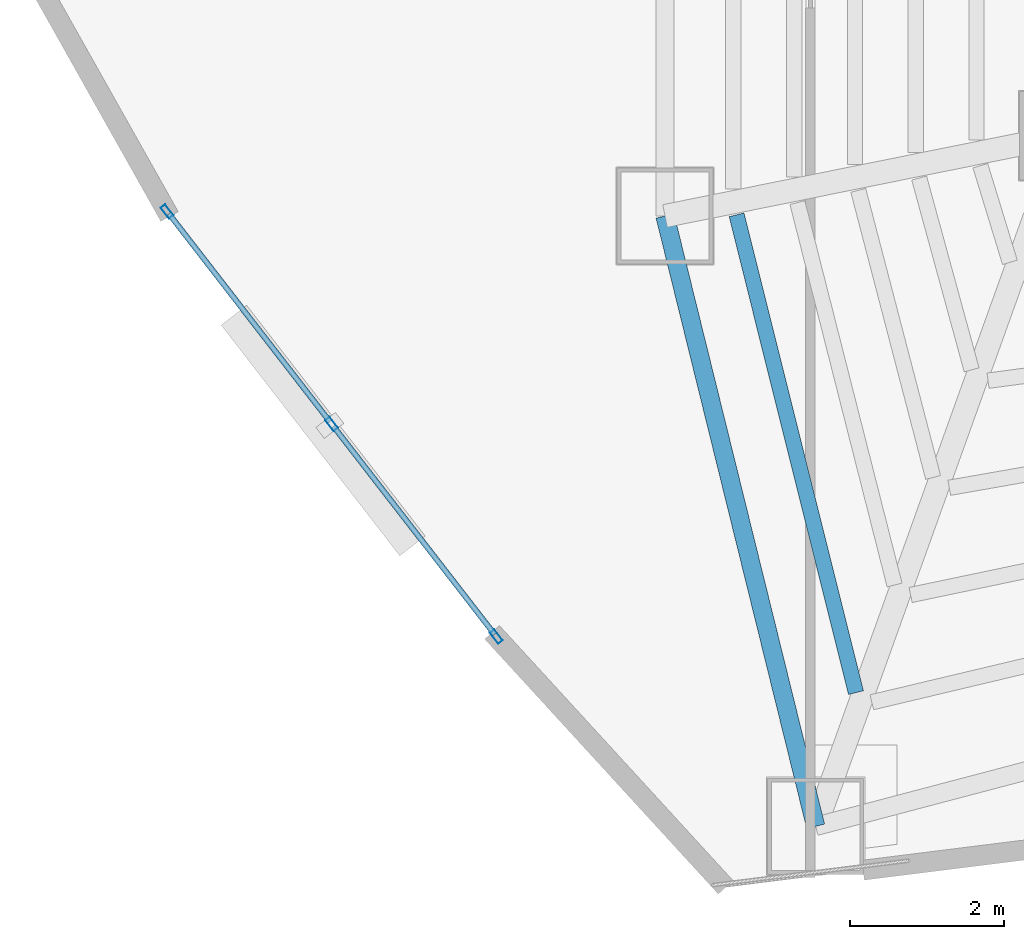
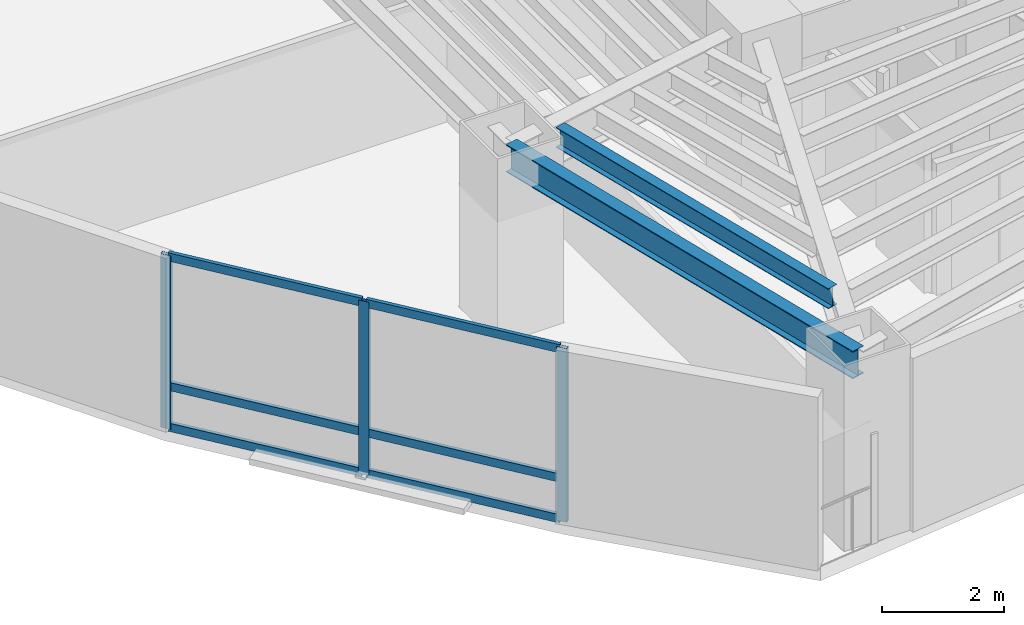
# One storey, part 3 of 23: 9 members, 2 beams, 1 element without a shape of its own.
"""IFC4 building model written with IfcOpenShell, lengths in metres."""

from ifc_helpers import new_model, si_unit, direction, frame, origin, origin_2d, place, context, subcontext, project, spatial, hollow_rectangle, i_section, extrude, material, layer, layer_set, material_profile, profile_set, type_object, element, aggregate, save


model = new_model("IFC4")

# Units and contexts
model_context = context("Model", 3, precision=1e-05, world=origin(), true_north=direction((0.0, 1.0)))
body_context = subcontext(model_context, "Body", "Model", "MODEL_VIEW")
ifc_project = project(units=[si_unit("LENGTHUNIT", "METRE"), si_unit("AREAUNIT", "SQUARE_METRE"), si_unit("VOLUMEUNIT", "CUBIC_METRE"), si_unit("PLANEANGLEUNIT", "RADIAN"), si_unit("MASSUNIT", "GRAM", prefix="KILO")], contexts=[model_context])

# Site, building, storey
site_placement = place(None, origin())
site = spatial("IfcSite", under=ifc_project, at=site_placement, CompositionType="ELEMENT")
building_placement = place(site_placement, origin())
building = spatial("IfcBuilding", under=site, at=building_placement, Name="Menara Vayukalpa", CompositionType="ELEMENT")
storey_placement = place(building_placement, frame((0.0, 0.0, 103.97998046875)))
storey = spatial("IfcBuildingStorey", under=building, at=storey_placement, Name="L25", CompositionType="ELEMENT", Elevation=103.97998046875)

# Beams
ifc_material_1 = material(Name="Steel S355", Category="steel")
ifc_material_profile_1 = material_profile(ifc_material_1, i_section(OverallWidth=0.199951171875, OverallDepth=0.39990234375, WebThickness=0.008056640625, FlangeThickness=0.012939453125, at=origin_2d()), Name="WF 400x200x8x13")
ifc_profile_set_1 = profile_set([ifc_material_profile_1], Name="Steel S355")
beam_type_1 = type_object("IfcBeamType", Name="BM-SJ2", PredefinedType="JOIST", material=ifc_profile_set_1)
beam_1_placement = place(storey_placement, frame((13.53857421875, 16.168701171875, 3.27001953125), z_axis=(0.242481900969, -0.970155929582, 0.0), x_axis=(0.970155929582, 0.242481900969, 0.0)))
element("IfcBeam", 1, at=beam_1_placement, inside=storey, type_object=beam_type_1, Name="L25 Secondary Floor Joist SJ06-5", PredefinedType="JOIST", context=body_context, shape_type="SweptSolid", body=[
    extrude(i_section(OverallWidth=0.199951171875, OverallDepth=0.39990234375, WebThickness=0.008056640625, FlangeThickness=0.012939453125, at=origin_2d()), origin(), (0.0, 0.0, 1.0), 6.41552734375),
])
ifc_material_2 = material(Name="Steel S355", Category="steel")
ifc_material_profile_2 = material_profile(ifc_material_2, i_section(OverallWidth=0.239990234375, OverallDepth=0.550048828125, WebThickness=0.010986328125, FlangeThickness=0.01904296875, at=origin_2d()), Name="WF 550x240x11x19")
ifc_profile_set_2 = profile_set([ifc_material_profile_2], Name="Steel S355")
beam_type_2 = type_object("IfcBeamType", Name="BM-SP2", PredefinedType="SPANDREL", material=ifc_profile_set_2)
beam_2_placement = place(storey_placement, frame((12.606689453125, 16.154296875, 3.195068359375), z_axis=(0.239602739234, -0.970871014786, 0.0), x_axis=(0.970871014786, 0.239602739234, 0.0)))
element("IfcBeam", 2, at=beam_2_placement, inside=storey, type_object=beam_type_2, Name="L25 Perimeter Spandrel Beam SP06", PredefinedType="SPANDREL", context=body_context, shape_type="SweptSolid", body=[
    extrude(i_section(OverallWidth=0.239990234375, OverallDepth=0.550048828125, WebThickness=0.010986328125, FlangeThickness=0.01904296875, at=origin_2d()), origin(), (0.0, 0.0, 1.0), 8.190185546875),
])

# Curtain wall, members
ifc_material_3 = material(Name="Anodised Terracotta Aluminium Alloy 6063-T6", Category="masonry")
ifc_layer = layer(ifc_material_3, 0.179931640625)
ifc_layer_set = layer_set([ifc_layer], Name="Anodised Terracotta Aluminium Alloy 6063-T6")
curtain_wall_type = type_object("IfcCurtainWallType", Name="CW-CW4", PredefinedType="USERDEFINED", material=ifc_layer_set)
curtain_wall_placement = place(storey_placement, origin())
curtain_wall = element("IfcCurtainWall", 3, at=curtain_wall_placement, inside=storey, type_object=curtain_wall_type, Name="L25 Sky Bar Cantilever Glazed Curtain Wall CW4 13", ObjectType="UNITISED", PredefinedType="USERDEFINED")
ifc_material_4 = material(Name="Anodised Terracotta Aluminium Alloy 6063-T6", Category="masonry")
ifc_material_profile_3 = material_profile(ifc_material_4, hollow_rectangle(XDim=0.074951171875, YDim=0.179931640625, WallThickness=0.00390625, at=origin_2d()), Name="ALU 75x180x4")
ifc_profile_set_3 = profile_set([ifc_material_profile_3], Name="Anodised Terracotta Aluminium Alloy 6063-T6")
member_type_1 = type_object("IfcMemberType", Name="CWM-CW4", PredefinedType="MULLION", material=ifc_profile_set_3)
member_1_placement = place(storey_placement, frame((6.11962890625, 16.21337890625, 0.0), z_axis=(0.0, 0.0, 1.0), x_axis=(0.790711577857, 0.612188860273, 0.0)))
member_1 = element("IfcMember", 4, at=member_1_placement, type_object=member_type_1, Name="CW4 mullion 1", PredefinedType="MULLION", context=body_context, shape_type="SweptSolid", body=[
    extrude(hollow_rectangle(XDim=0.074951171875, YDim=0.179931640625, WallThickness=0.00390625, at=origin_2d()), origin(), (0.0, 0.0, 1.0), 3.469970703125),
])
member_2_placement = place(storey_placement, frame((8.263916015625, 13.44384765625, 0.0), z_axis=(0.0, 0.0, 1.0), x_axis=(0.790711577857, 0.612188860273, 0.0)))
member_2 = element("IfcMember", 5, at=member_2_placement, type_object=member_type_1, Name="CW4 mullion 2", PredefinedType="MULLION", context=body_context, shape_type="SweptSolid", body=[
    extrude(hollow_rectangle(XDim=0.074951171875, YDim=0.179931640625, WallThickness=0.00390625, at=origin_2d()), origin(), (0.0, 0.0, 1.0), 3.469970703125),
])
member_3_placement = place(storey_placement, frame((10.408203125, 10.67431640625, 0.0), z_axis=(0.0, 0.0, 1.0), x_axis=(0.790711577857, 0.612188860273, 0.0)))
member_3 = element("IfcMember", 6, at=member_3_placement, type_object=member_type_1, Name="CW4 mullion 3", PredefinedType="MULLION", context=body_context, shape_type="SweptSolid", body=[
    extrude(hollow_rectangle(XDim=0.074951171875, YDim=0.179931640625, WallThickness=0.00390625, at=origin_2d()), origin(), (0.0, 0.0, 1.0), 3.469970703125),
])
ifc_material_5 = material(Name="Anodised Terracotta Aluminium Alloy 6063-T6", Category="masonry")
ifc_material_profile_4 = material_profile(ifc_material_5, hollow_rectangle(XDim=0.070068359375, YDim=0.1650390625, WallThickness=0.00390625, at=origin_2d()), Name="ALU 70x165x4")
ifc_profile_set_4 = profile_set([ifc_material_profile_4], Name="Anodised Terracotta Aluminium Alloy 6063-T6")
member_type_2 = type_object("IfcMemberType", Name="CWT-CW4", PredefinedType="USERDEFINED", material=ifc_profile_set_4)
member_4_placement = place(storey_placement, frame((6.142578125, 16.183837890625, 0.034912109375), z_axis=(0.612168883407, -0.790727044047, 0.0), x_axis=(0.790727044047, 0.612168883407, 0.0)))
member_4 = element("IfcMember", 7, at=member_4_placement, type_object=member_type_2, Name="CW4 transom 1.1", ObjectType="TRANSOM", PredefinedType="USERDEFINED", context=body_context, shape_type="SweptSolid", body=[
    extrude(hollow_rectangle(XDim=0.070068359375, YDim=0.1650390625, WallThickness=0.00390625, at=origin_2d()), origin(), (0.0, 0.0, 1.0), 3.427734375),
])
member_5_placement = place(storey_placement, frame((6.142578125, 16.183837890625, 0.85009765625), z_axis=(0.612168883407, -0.790727044047, 0.0), x_axis=(0.790727044047, 0.612168883407, 0.0)))
member_5 = element("IfcMember", 8, at=member_5_placement, type_object=member_type_2, Name="CW4 transom 1.2", ObjectType="TRANSOM", PredefinedType="USERDEFINED", context=body_context, shape_type="SweptSolid", body=[
    extrude(hollow_rectangle(XDim=0.070068359375, YDim=0.1650390625, WallThickness=0.00390625, at=origin_2d()), origin(), (0.0, 0.0, 1.0), 3.427734375),
])
member_6_placement = place(storey_placement, frame((6.142578125, 16.183837890625, 3.43505859375), z_axis=(0.612168883407, -0.790727044047, 0.0), x_axis=(0.790727044047, 0.612168883407, 0.0)))
member_6 = element("IfcMember", 9, at=member_6_placement, type_object=member_type_2, Name="CW4 transom 1.3", ObjectType="TRANSOM", PredefinedType="USERDEFINED", context=body_context, shape_type="SweptSolid", body=[
    extrude(hollow_rectangle(XDim=0.070068359375, YDim=0.1650390625, WallThickness=0.00390625, at=origin_2d()), origin(), (0.0, 0.0, 1.0), 3.427734375),
])
member_7_placement = place(storey_placement, frame((8.286865234375, 13.414306640625, 0.034912109375), z_axis=(0.612168883407, -0.790727044047, 0.0), x_axis=(0.790727044047, 0.612168883407, 0.0)))
member_7 = element("IfcMember", 10, at=member_7_placement, type_object=member_type_2, Name="CW4 transom 2.1", ObjectType="TRANSOM", PredefinedType="USERDEFINED", context=body_context, shape_type="SweptSolid", body=[
    extrude(hollow_rectangle(XDim=0.070068359375, YDim=0.1650390625, WallThickness=0.00390625, at=origin_2d()), origin(), (0.0, 0.0, 1.0), 3.427734375),
])
member_8_placement = place(storey_placement, frame((8.286865234375, 13.414306640625, 0.85009765625), z_axis=(0.612168883407, -0.790727044047, 0.0), x_axis=(0.790727044047, 0.612168883407, 0.0)))
member_8 = element("IfcMember", 11, at=member_8_placement, type_object=member_type_2, Name="CW4 transom 2.2", ObjectType="TRANSOM", PredefinedType="USERDEFINED", context=body_context, shape_type="SweptSolid", body=[
    extrude(hollow_rectangle(XDim=0.070068359375, YDim=0.1650390625, WallThickness=0.00390625, at=origin_2d()), origin(), (0.0, 0.0, 1.0), 3.427734375),
])
member_9_placement = place(storey_placement, frame((8.286865234375, 13.414306640625, 3.43505859375), z_axis=(0.612168883407, -0.790727044047, 0.0), x_axis=(0.790727044047, 0.612168883407, 0.0)))
member_9 = element("IfcMember", 12, at=member_9_placement, type_object=member_type_2, Name="CW4 transom 2.3", ObjectType="TRANSOM", PredefinedType="USERDEFINED", context=body_context, shape_type="SweptSolid", body=[
    extrude(hollow_rectangle(XDim=0.070068359375, YDim=0.1650390625, WallThickness=0.00390625, at=origin_2d()), origin(), (0.0, 0.0, 1.0), 3.427734375),
])
aggregate(curtain_wall, [member_1, member_2, member_3, member_4, member_5, member_6, member_7, member_8, member_9])

save(model, "model.ifc")
